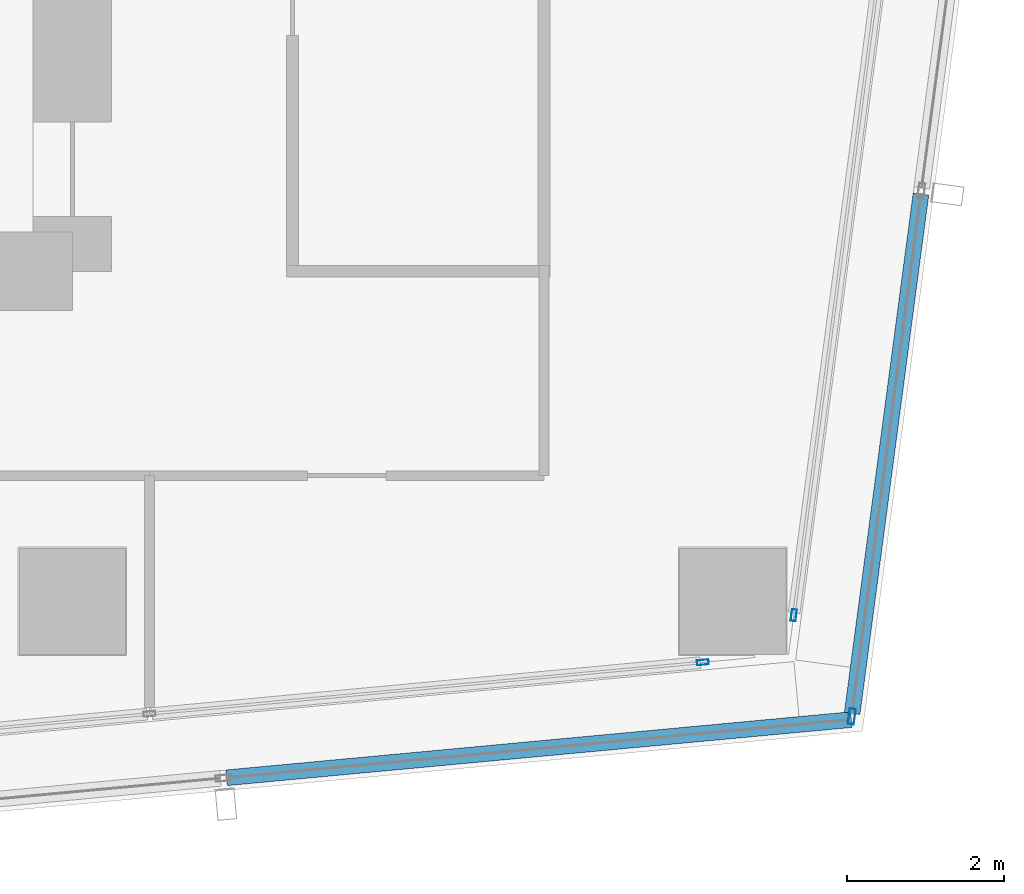
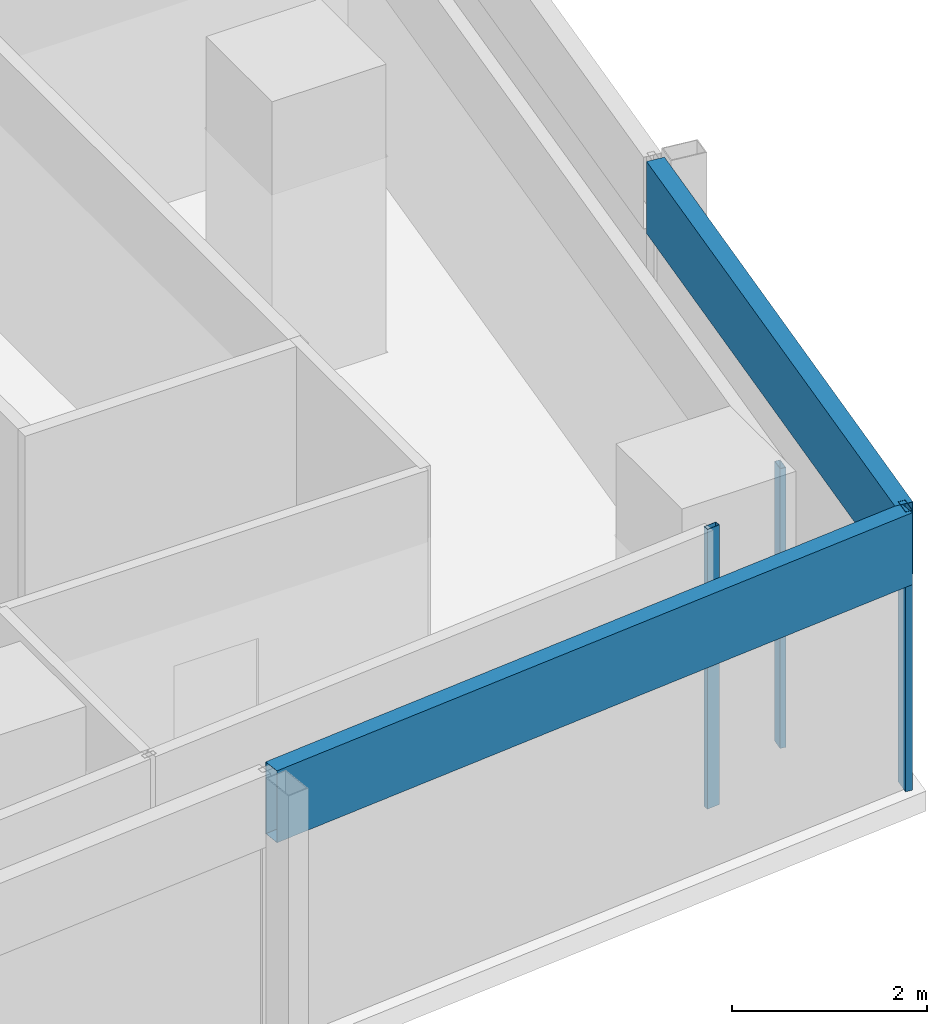
# One storey, part 12 of 39: 5 members, 4 elements without a shape of their own.
"""IFC4 building model written with IfcOpenShell, lengths in metres."""

from ifc_helpers import new_model, si_unit, direction, frame, origin, origin_2d, place, context, subcontext, project, spatial, hollow_rectangle, extrude, material, material_profile, profile_set, type_object, element, aggregate, save


model = new_model("IFC4")

# Units and contexts
model_context = context("Model", 3, precision=1e-05, world=origin(), true_north=direction((0.0, 1.0)))
body_context = subcontext(model_context, "Body", "Model", "MODEL_VIEW")
ifc_project = project(units=[si_unit("LENGTHUNIT", "METRE"), si_unit("AREAUNIT", "SQUARE_METRE"), si_unit("VOLUMEUNIT", "CUBIC_METRE"), si_unit("PLANEANGLEUNIT", "RADIAN"), si_unit("MASSUNIT", "GRAM", prefix="KILO")], contexts=[model_context])

# Site, building, storey
site_placement = place(None, origin())
site = spatial("IfcSite", under=ifc_project, at=site_placement, CompositionType="ELEMENT")
building_placement = place(site_placement, origin())
building = spatial("IfcBuilding", under=site, at=building_placement, Name="Rekha Terrace Tower", CompositionType="ELEMENT")
storey_placement = place(building_placement, frame((0.0, 0.0, 217.699951171875)))
storey = spatial("IfcBuildingStorey", under=building, at=storey_placement, Name="L55", CompositionType="ELEMENT", Elevation=217.699951171875)

# Curtain wall, member
ifc_material_1 = material(Name="Aluminium framing", Category="aluminium")
curtain_wall_type_1 = type_object("IfcCurtainWallType", Name="CW1 double skin inner glazing", PredefinedType="USERDEFINED", material=ifc_material_1)
curtain_wall_1_placement = place(storey_placement, origin())
curtain_wall_1 = element("IfcCurtainWall", 1, at=curtain_wall_1_placement, inside=storey, type_object=curtain_wall_type_1, Name="CW1 double skin inner glazing", ObjectType="DOUBLE SKIN INNER GLAZING", PredefinedType="USERDEFINED")
ifc_material_2 = material(Name="Aluminium mullion section", Category="aluminium")
ifc_material_profile_1 = material_profile(ifc_material_2, hollow_rectangle(XDim=0.06494140625, YDim=0.14990234375, WallThickness=0.00390625, at=origin_2d()), Name="AL RHS 65x150")
ifc_profile_set_1 = profile_set([ifc_material_profile_1], Name="Aluminium mullion section")
member_type_1 = type_object("IfcMemberType", Name="CW1 mullion RHS 65 x 150", PredefinedType="MULLION", material=ifc_profile_set_1)
member_1_placement = place(storey_placement, frame((58.419677734375, 16.025634765625, 0.0), z_axis=(0.0, 0.0, 1.0), x_axis=(-0.092708869564, 0.995693258742, 0.0)))
member_1 = element("IfcMember", 2, at=member_1_placement, type_object=member_type_1, Name="CW1 mullion 3", PredefinedType="MULLION", context=body_context, shape_type="SweptSolid", body=[
    extrude(hollow_rectangle(XDim=0.06494140625, YDim=0.14990234375, WallThickness=0.00390625, at=origin_2d()), origin(), (0.0, 0.0, 1.0), 3.5),
])
aggregate(curtain_wall_1, [member_1])

curtain_wall_2_placement = place(storey_placement, origin())
curtain_wall_2 = element("IfcCurtainWall", 3, at=curtain_wall_2_placement, inside=storey, type_object=curtain_wall_type_1, Name="CW1 double skin inner glazing", ObjectType="DOUBLE SKIN INNER GLAZING", PredefinedType="USERDEFINED")
member_2_placement = place(storey_placement, frame((59.576171875, 16.624755859375, 0.0), z_axis=(0.0, 0.0, 1.0), x_axis=(-0.991342203185, 0.131303603093, 0.0)))
member_2 = element("IfcMember", 4, at=member_2_placement, type_object=member_type_1, Name="CW1 mullion 1", PredefinedType="MULLION", context=body_context, shape_type="SweptSolid", body=[
    extrude(hollow_rectangle(XDim=0.06494140625, YDim=0.14990234375, WallThickness=0.00390625, at=origin_2d()), origin(), (0.0, 0.0, 1.0), 3.5),
])
aggregate(curtain_wall_2, [member_2])

curtain_wall_type_2 = type_object("IfcCurtainWallType", Name="CW2 double skin outer glazing", PredefinedType="USERDEFINED", material=ifc_material_1)
curtain_wall_3_placement = place(storey_placement, origin())
curtain_wall_3 = element("IfcCurtainWall", 5, at=curtain_wall_3_placement, inside=storey, type_object=curtain_wall_type_2, Name="CW2 double skin outer glazing", ObjectType="DOUBLE SKIN OUTER GLAZING", PredefinedType="USERDEFINED")
ifc_material_profile_2 = material_profile(ifc_material_2, hollow_rectangle(XDim=0.080078125, YDim=0.199951171875, WallThickness=0.00390625, at=origin_2d()), Name="AL RHS 80x200")
ifc_profile_set_2 = profile_set([ifc_material_profile_2], Name="Aluminium mullion section")
member_type_2 = type_object("IfcMemberType", Name="CW2 mullion RHS 80 x 200", PredefinedType="MULLION", material=ifc_profile_set_2)
member_3_placement = place(storey_placement, frame((60.3134765625, 15.337158203125, 0.0), z_axis=(0.0, 0.0, 1.0), x_axis=(-0.991342203187, 0.131303603075, 0.0)))
member_3 = element("IfcMember", 6, at=member_3_placement, type_object=member_type_2, Name="CW2 mullion 1", PredefinedType="MULLION", context=body_context, shape_type="SweptSolid", body=[
    extrude(hollow_rectangle(XDim=0.080078125, YDim=0.199951171875, WallThickness=0.00390625, at=origin_2d()), origin(), (0.0, 0.0, 1.0), 3.5),
])

curtain_wall_4_placement = place(storey_placement, origin())
curtain_wall_4 = element("IfcCurtainWall", 7, at=curtain_wall_4_placement, inside=storey, type_object=curtain_wall_type_2, Name="CW2 double skin outer glazing", ObjectType="DOUBLE SKIN OUTER GLAZING", PredefinedType="USERDEFINED")
ifc_material_3 = material(Name="Insulated aluminium spandrel box", Category="aluminium")
ifc_material_profile_3 = material_profile(ifc_material_3, hollow_rectangle(XDim=0.199951171875, YDim=0.89990234375, WallThickness=0.0029296875, at=origin_2d()), Name="AL SPANDREL BOX 200x900")
ifc_profile_set_3 = profile_set([ifc_material_profile_3], Name="Insulated aluminium spandrel box")
member_type_3 = type_object("IfcMemberType", Name="CW2 spandrel transom 200 x 900", PredefinedType="USERDEFINED", material=ifc_profile_set_3)
member_4_placement = place(storey_placement, frame((52.36181640625, 14.5576171875, 3.050048828125), z_axis=(0.99569478362, 0.092692490917, 0.0), x_axis=(-0.092692490917, 0.99569478362, 0.0)))
member_4 = element("IfcMember", 8, at=member_4_placement, type_object=member_type_3, Name="CW2 spandrel transom 2", ObjectType="TRANSOM", PredefinedType="USERDEFINED", context=body_context, shape_type="SweptSolid", body=[
    extrude(hollow_rectangle(XDim=0.199951171875, YDim=0.89990234375, WallThickness=0.0029296875, at=origin_2d()), origin(), (0.0, 0.0, 1.0), 7.980712890625),
])
aggregate(curtain_wall_4, [member_4])

# Member
member_5_placement = place(storey_placement, frame((60.318603515625, 15.376708984375, 3.050048828125), z_axis=(0.131318864981, 0.991340181623, 0.0), x_axis=(-0.991340181623, 0.131318864981, 0.0)))
member_5 = element("IfcMember", 9, at=member_5_placement, type_object=member_type_3, Name="CW2 spandrel transom 1", ObjectType="TRANSOM", PredefinedType="USERDEFINED", context=body_context, shape_type="SweptSolid", body=[
    extrude(hollow_rectangle(XDim=0.199951171875, YDim=0.89990234375, WallThickness=0.0029296875, at=origin_2d()), origin(), (0.0, 0.0, 1.0), 6.6630859375),
])

aggregate(curtain_wall_3, [member_3, member_5])

save(model, "model.ifc")
